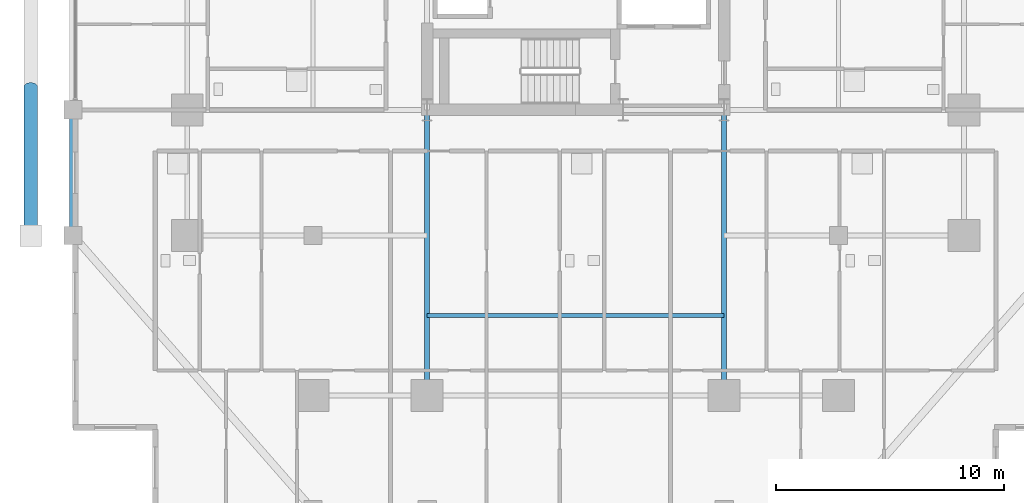
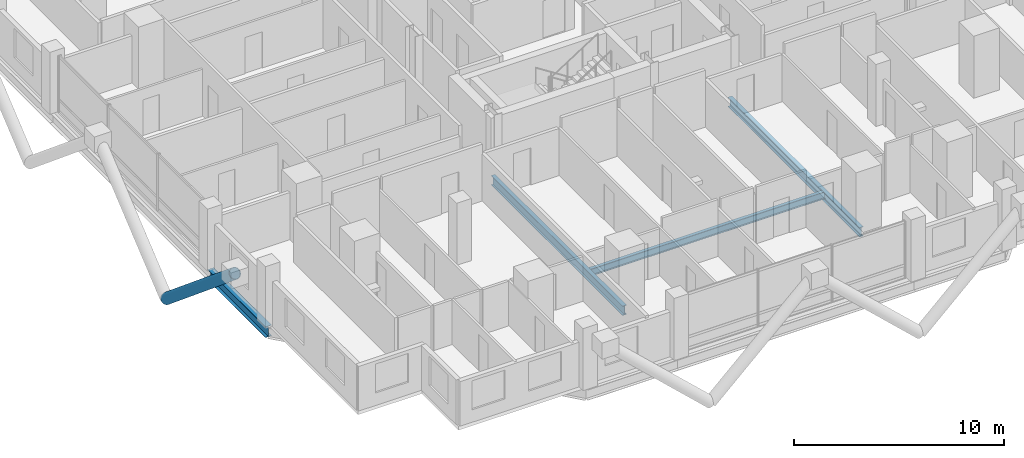
# One storey, part 3 of 24: 4 beams, 1 member.
"""IFC4 building model written with IfcOpenShell, lengths in metres."""

from ifc_helpers import new_model, si_unit, direction, frame, origin, origin_2d, place, context, subcontext, project, spatial, hollow_circle, i_section, extrude, material, material_profile, profile_set, type_object, element, save


model = new_model("IFC4")

# Units and contexts
model_context = context("Model", 3, precision=1e-05, world=origin(), true_north=direction((0.0, 1.0)))
body_context = subcontext(model_context, "Body", "Model", "MODEL_VIEW")
ifc_project = project(units=[si_unit("LENGTHUNIT", "METRE"), si_unit("AREAUNIT", "SQUARE_METRE"), si_unit("VOLUMEUNIT", "CUBIC_METRE"), si_unit("PLANEANGLEUNIT", "RADIAN"), si_unit("MASSUNIT", "GRAM", prefix="KILO")], contexts=[model_context])

# Site, building, storey
site_placement = place(None, origin())
site = spatial("IfcSite", under=ifc_project, at=site_placement, CompositionType="ELEMENT")
building_placement = place(site_placement, origin())
building = spatial("IfcBuilding", under=site, at=building_placement, Name="Barlavira Tower and Art Museum", CompositionType="ELEMENT")
storey_placement = place(building_placement, frame((0.0, 0.0, 90.0)))
storey = spatial("IfcBuildingStorey", under=building, at=storey_placement, Name="L22", CompositionType="ELEMENT", Elevation=90.0)

# Member
ifc_material = material(Name="Steel S355", Category="steel")
ifc_material_profile_1 = material_profile(ifc_material, hollow_circle(Radius=0.304931640625, WallThickness=0.028076171875, at=origin_2d()), Name="CHS 610.0x28.0")
ifc_profile_set_1 = profile_set([ifc_material_profile_1], Name="Steel S355")
member_type = type_object("IfcMemberType", Name="Pale-Metal Exoskeleton Diagrid Tube CHS 610x28 Steel S355", PredefinedType="BRACE", material=ifc_profile_set_1)
member_placement = place(storey_placement, frame((-23.85009765625, -6.5, -1.919921875), z_axis=(0.0, -0.769196053329, 0.639012857104), x_axis=(1.0, 0.0, 0.0)))
element("IfcMember", 1, at=member_placement, inside=storey, type_object=member_type, Name="L22 Exoskeleton Diagrid Tube W", PredefinedType="BRACE", context=body_context, shape_type="SweptSolid", body=[
    extrude(hollow_circle(Radius=0.304931640625, WallThickness=0.028076171875, at=origin_2d()), origin(), (0.0, 0.0, 1.0), 8.450439453125),
])

# Beams
ifc_material_profile_2 = material_profile(ifc_material, i_section(OverallWidth=0.327880859375, OverallDepth=0.62890625, WebThickness=0.013916015625, FlangeThickness=0.021484375, at=origin_2d()), Name="W610x174.0")
ifc_profile_set_2 = profile_set([ifc_material_profile_2], Name="Steel S355")
beam_type_1 = type_object("IfcBeamType", Name="Perimeter Spandrel Edge Beam W610x174 Steel S355", PredefinedType="SPANDREL", material=ifc_profile_set_2)
beam_1_placement = place(storey_placement, frame((-22.0, -13.0, -0.534423828125), z_axis=(0.0, 1.0, 0.0), x_axis=(-1.0, 0.0, 0.0)))
element("IfcBeam", 2, at=beam_1_placement, inside=storey, type_object=beam_type_1, Name="L22 Spandrel 15", PredefinedType="SPANDREL", context=body_context, shape_type="SweptSolid", body=[
    extrude(i_section(OverallWidth=0.327880859375, OverallDepth=0.62890625, WebThickness=0.013916015625, FlangeThickness=0.021484375, at=origin_2d()), origin(), (0.0, 0.0, 1.0), 5.5),
])
ifc_material_profile_3 = material_profile(ifc_material, i_section(OverallWidth=0.180908203125, OverallDepth=0.4169921875, WebThickness=0.010986328125, FlangeThickness=0.018310546875, at=origin_2d()), Name="W410x85.0")
ifc_profile_set_3 = profile_set([ifc_material_profile_3], Name="Steel S355")
beam_type_2 = type_object("IfcBeamType", Name="Zone 1 Composite Floor Joist W410x85 Steel S355", PredefinedType="JOIST", material=ifc_profile_set_3)
beam_2_placement = place(storey_placement, frame((-6.5, -16.5, -0.428466796875), z_axis=(1.0, 0.0, 0.0), x_axis=(0.0, 1.0, 0.0)))
element("IfcBeam", 3, at=beam_2_placement, inside=storey, type_object=beam_type_2, Name="L22 Joist C1", PredefinedType="JOIST", context=body_context, shape_type="SweptSolid", body=[
    extrude(i_section(OverallWidth=0.180908203125, OverallDepth=0.4169921875, WebThickness=0.010986328125, FlangeThickness=0.018310546875, at=origin_2d()), origin(), (0.0, 0.0, 1.0), 13.0),
])
ifc_material_profile_4 = material_profile(ifc_material, i_section(OverallWidth=0.214111328125, OverallDepth=0.549072265625, WebThickness=0.0146484375, FlangeThickness=0.023681640625, at=origin_2d()), Name="W530x138.0")
ifc_profile_set_4 = profile_set([ifc_material_profile_4], Name="Steel S355")
beam_type_3 = type_object("IfcBeamType", Name="Zone 1 Primary Floor Girder W530x138 Steel S355", PredefinedType="BEAM", material=ifc_profile_set_4)
for number, where, z_axis, x_axis, name in (
    (4, (-6.5, -20.0, -0.494384765625), (0.0, 1.0, 0.0), (-1.0, 0.0, 0.0), "L22 Girder R-S1"),
    (5, (6.5, -20.0, -0.494384765625), (0.0, 1.0, 0.0), (-1.0, 0.0, 0.0), "L22 Girder R-S2"),
):
    element("IfcBeam", number, at=place(storey_placement, frame(where, z_axis=z_axis, x_axis=x_axis)), inside=storey, type_object=beam_type_3, Name=name, PredefinedType="BEAM", context=body_context, shape_type="SweptSolid", body=[
        extrude(i_section(OverallWidth=0.214111328125, OverallDepth=0.549072265625, WebThickness=0.0146484375, FlangeThickness=0.023681640625, at=origin_2d()), origin(), (0.0, 0.0, 1.0), 12.5),
    ])

save(model, "model.ifc")
